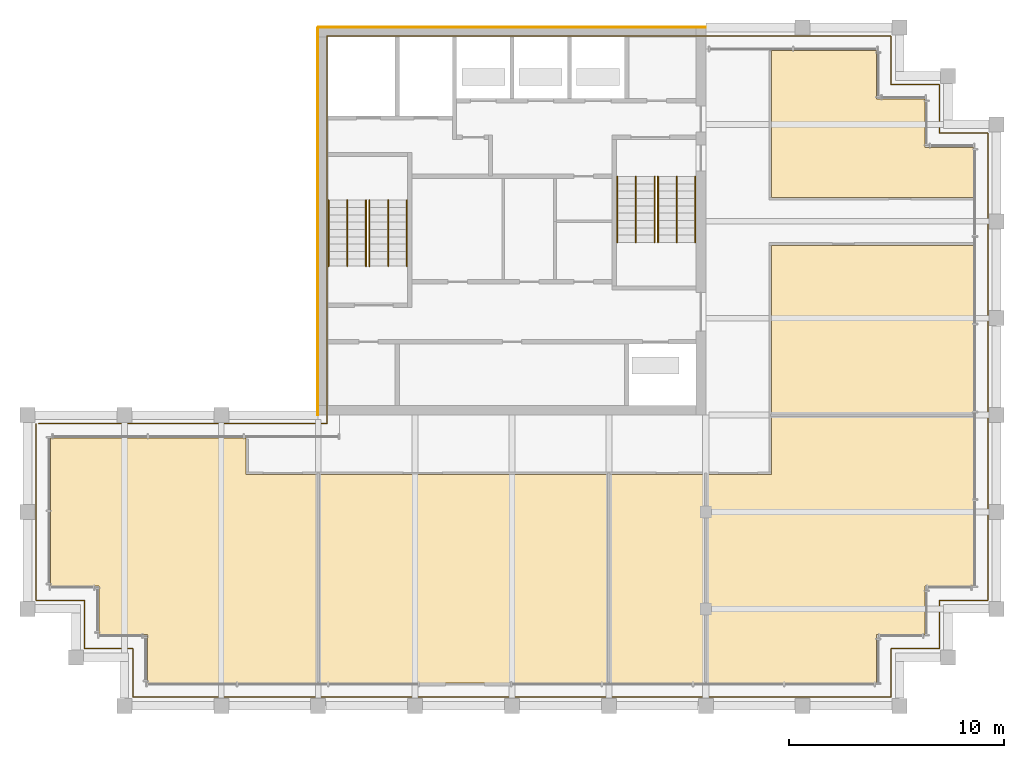
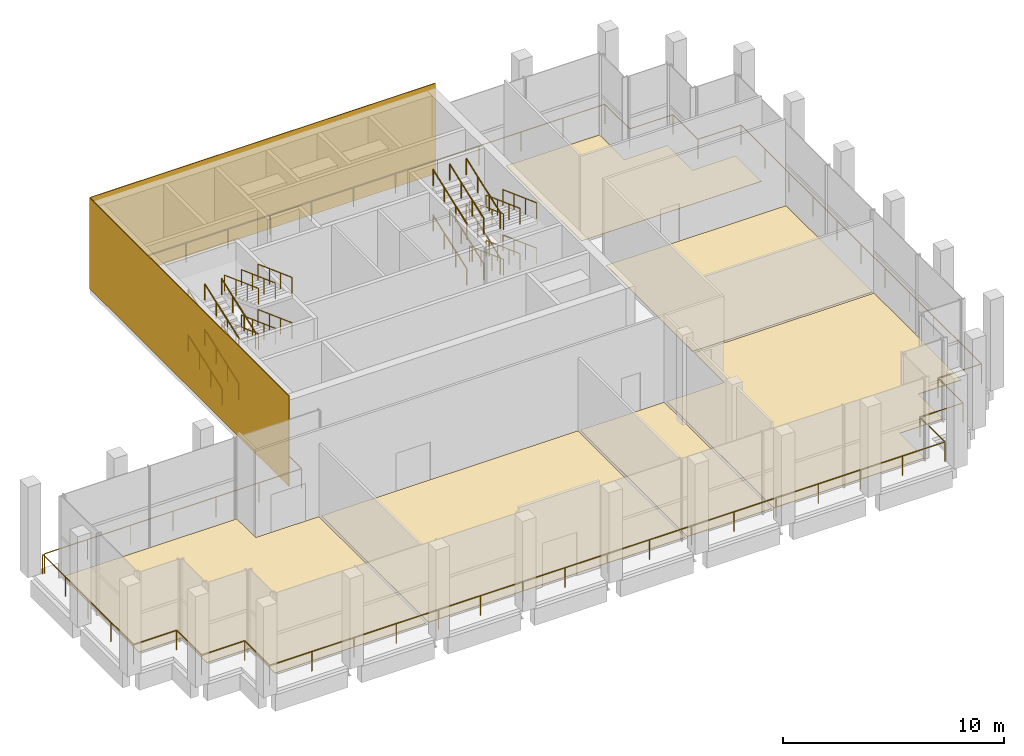
# One storey, part 14 of 14: 25 railings, 8 coverings.
"""IFC4 building model written with IfcOpenShell, lengths in metres."""

from ifc_helpers import new_model, si_unit, direction, frame, origin, origin_2d, place, context, subcontext, project, spatial, polyline, rectangle, circle, outline, extrude, source, transform, mapped, material, layer, layer_set, type_object, element, save


model = new_model("IFC4")

# Units and contexts
model_context = context("Model", 3, precision=1e-05, world=origin(), true_north=direction((0.0, 1.0)))
body_context = subcontext(model_context, "Body", "Model", "MODEL_VIEW")
ifc_project = project(units=[si_unit("LENGTHUNIT", "METRE"), si_unit("AREAUNIT", "SQUARE_METRE"), si_unit("VOLUMEUNIT", "CUBIC_METRE"), si_unit("PLANEANGLEUNIT", "RADIAN"), si_unit("MASSUNIT", "GRAM", prefix="KILO")], contexts=[model_context])

# Site, building, storey
site_placement = place(None, origin())
site = spatial("IfcSite", under=ifc_project, at=site_placement, CompositionType="ELEMENT")
building_placement = place(site_placement, origin())
building = spatial("IfcBuilding", under=site, at=building_placement, Name="Altepetl Exchange Towers", CompositionType="ELEMENT")
storey_placement = place(building_placement, frame((0.0, 0.0, 269.60009765625)))
storey = spatial("IfcBuildingStorey", under=building, at=storey_placement, Name="L68 Observation gallery", CompositionType="ELEMENT", Elevation=269.60009765625)

# Coverings
ifc_material_1 = material(Name="Carpet tile")
ifc_layer_1 = layer(ifc_material_1, 0.02001953125)
ifc_layer_set_1 = layer_set([ifc_layer_1], Name="Carpet tile")
covering_type_1 = type_object("IfcCoveringType", Name="Carpet tile floor", PredefinedType="FLOORING", material=ifc_layer_set_1)
covering_1_placement = place(storey_placement, origin())
element("IfcCovering", 1, at=covering_1_placement, inside=storey, type_object=covering_type_1, Name="Meeting room floor finish A68.06", PredefinedType="FLOORING", context=body_context, shape_type="SweptSolid", body=[
    extrude(outline(polyline([(66.4375, 55.1875), (66.4375, 57.4375), (61.5625, 57.4375), (61.5625, 50.612548828125), (70.9375, 50.612548828125), (70.9375, 52.9375), (68.6875, 52.9375), (68.6875, 55.1875), (66.4375, 55.1875)])), origin(), (0.0, 0.0, 1.0), 0.02001953125),
])
ifc_material_2 = material(Name="Cantera stone", Category="masonry")
ifc_layer_2 = layer(ifc_material_2, 0.030029296875)
ifc_layer_set_2 = layer_set([ifc_layer_2], Name="Cantera stone")
covering_type_2 = type_object("IfcCoveringType", Name="Polished stone floor", PredefinedType="FLOORING", material=ifc_layer_set_2)
covering_2_placement = place(storey_placement, origin())
element("IfcCovering", 2, at=covering_2_placement, inside=storey, type_object=covering_type_2, Name="Restaurant floor finish A68.01", PredefinedType="FLOORING", context=body_context, shape_type="SweptSolid", body=[
    extrude(outline(polyline([(32.5625, 28.0625), (40.4375, 28.0625), (40.4375, 37.737548828125), (37.137451171875, 37.737548828125), (37.137451171875, 39.4375), (28.0625, 39.4375), (28.0625, 32.5625), (30.3125, 32.5625), (30.3125, 30.3125), (32.5625, 30.3125), (32.5625, 28.0625)])), origin(), (0.0, 0.0, 1.0), 0.02978515625),
])
covering_3_placement = place(storey_placement, origin())
element("IfcCovering", 3, at=covering_3_placement, inside=storey, type_object=covering_type_2, Name="Exhibition room floor finish A68.02", PredefinedType="FLOORING", context=body_context, shape_type="SweptSolid", body=[
    extrude(outline(polyline([(53.9375, 28.0625), (53.9375, 37.737548828125), (40.5625, 37.737548828125), (40.5625, 28.0625), (53.9375, 28.0625)])), origin(), (0.0, 0.0, 1.0), 0.02978515625),
])
covering_4_placement = place(storey_placement, origin())
element("IfcCovering", 4, at=covering_4_placement, inside=storey, type_object=covering_type_2, Name="Reception floor finish A68.03", PredefinedType="FLOORING", context=body_context, shape_type="SweptSolid", body=[
    extrude(outline(polyline([(58.4375, 28.0625), (58.4375, 37.737548828125), (54.0625, 37.737548828125), (54.0625, 28.0625), (58.4375, 28.0625)])), origin(), (0.0, 0.0, 1.0), 0.02978515625),
])
covering_5_placement = place(storey_placement, origin())
element("IfcCovering", 5, at=covering_5_placement, inside=storey, type_object=covering_type_2, Name="Observation gallery floor finish A68.04", PredefinedType="FLOORING", context=body_context, shape_type="SweptSolid", body=[
    extrude(outline(polyline([(68.6875, 32.5625), (70.9375, 32.5625), (70.9375, 40.4375), (61.5625, 40.4375), (61.5625, 37.737548828125), (58.5625, 37.737548828125), (58.5625, 28.0625), (66.4375, 28.0625), (66.4375, 30.3125), (68.6875, 30.3125), (68.6875, 32.5625)])), origin(), (0.0, 0.0, 1.0), 0.02978515625),
])
covering_6_placement = place(storey_placement, origin())
element("IfcCovering", 6, at=covering_6_placement, inside=storey, type_object=covering_type_2, Name="Lookout cafe floor finish A68.05", PredefinedType="FLOORING", context=body_context, shape_type="SweptSolid", body=[
    extrude(outline(polyline([(61.5625, 40.5625), (70.9375, 40.5625), (70.9375, 48.387451171875), (61.5625, 48.387451171875), (61.5625, 40.5625)])), origin(), (0.0, 0.0, 1.0), 0.02978515625),
])
ifc_material_3 = material(Name="Cantera limestone cladding", Category="masonry")
ifc_layer_3 = layer(ifc_material_3, 0.0400390625)
ifc_layer_set_3 = layer_set([ifc_layer_3], Name="Cantera limestone cladding")
covering_type_3 = type_object("IfcCoveringType", Name="Stone panel 40 cantera", PredefinedType="CLADDING", material=ifc_layer_set_3)
for number, where, z_axis, x_axis, name in (
    (7, (49.5, 58.52001953125, 0.0), (0.0, 0.0, 1.0), (-1.0, 0.0, 0.0), "Stone cladding panel"),
    (8, (40.47998046875, 49.5, 0.0), (0.0, 0.0, 1.0), (0.0, -1.0, 0.0), "Stone cladding panel"),
):
    element("IfcCovering", number, at=place(storey_placement, frame(where, z_axis=z_axis, x_axis=x_axis)), inside=storey, type_object=covering_type_3, Name=name, PredefinedType="CLADDING", context=body_context, shape_type="SweptSolid", body=[
        extrude(rectangle(XDim=18.0, YDim=0.0400390625, at=origin_2d()), origin(), (0.0, 0.0, 1.0), 5.0),
    ])

# Railings
ifc_material_4 = material(Name="Steel S355", Category="steel")
railing_type_1 = type_object("IfcRailingType", Name="Guard 1100 steel posts and rail", PredefinedType="GUARDRAIL", material=ifc_material_4)
shared_shape_1 = source(origin(), body_context, "Body", "SweptSolid", [
    extrude(circle(Radius=0.02099609375, at=origin_2d()), origin(), (0.0, 0.0, 1.0), 1.052001953125),
])
railing_placement = place(storey_placement, frame((27.39990234375, 40.10009765625, 0.0)))
element("IfcRailing", 9, at=railing_placement, inside=storey, type_object=railing_type_1, Name="Loggia guard", PredefinedType="GUARDRAIL", context=body_context, shape_type="SweptSolid", body=[
    extrude(circle(Radius=0.02392578125, at=origin_2d()), frame((0.0, 0.0, 1.076171875), z_axis=(0.0, -1.0, 0.0), x_axis=(1.0, 0.0, 0.0)), (0.0, 0.0, 1.0), 8.2001953125),
    extrude(circle(Radius=0.02392578125, at=origin_2d()), frame((0.0, -8.2001953125, 1.076171875), z_axis=(1.0, 0.0, 0.0), x_axis=(0.0, 1.0, 0.0)), (0.0, 0.0, 1.0), 2.25),
    extrude(circle(Radius=0.02392578125, at=origin_2d()), frame((2.25, -8.2001953125, 1.076171875), z_axis=(0.0, -1.0, 0.0), x_axis=(1.0, 0.0, 0.0)), (0.0, 0.0, 1.0), 2.25),
    extrude(circle(Radius=0.02392578125, at=origin_2d()), frame((2.25, -10.4501953125, 1.076171875), z_axis=(1.0, 0.0, 0.0), x_axis=(0.0, 1.0, 0.0)), (0.0, 0.0, 1.0), 2.25),
    extrude(circle(Radius=0.02392578125, at=origin_2d()), frame((4.5, -10.4501953125, 1.076171875), z_axis=(0.0, -1.0, 0.0), x_axis=(1.0, 0.0, 0.0)), (0.0, 0.0, 1.0), 2.25),
    extrude(circle(Radius=0.02392578125, at=origin_2d()), frame((4.5, -12.7001953125, 1.076171875), z_axis=(1.0, 0.0, 0.0), x_axis=(0.0, 1.0, 0.0)), (0.0, 0.0, 1.0), 35.2001953125),
    extrude(circle(Radius=0.02392578125, at=origin_2d()), frame((39.7001953125, -12.7001953125, 1.076171875), z_axis=(0.0, 1.0, 0.0), x_axis=(-1.0, 0.0, 0.0)), (0.0, 0.0, 1.0), 2.25),
    extrude(circle(Radius=0.02392578125, at=origin_2d()), frame((39.7001953125, -10.4501953125, 1.076171875), z_axis=(1.0, 0.0, 0.0), x_axis=(0.0, 1.0, 0.0)), (0.0, 0.0, 1.0), 2.25),
    extrude(circle(Radius=0.02392578125, at=origin_2d()), frame((41.9501953125, -10.4501953125, 1.076171875), z_axis=(0.0, 1.0, 0.0), x_axis=(-1.0, 0.0, 0.0)), (0.0, 0.0, 1.0), 2.25),
    extrude(circle(Radius=0.02392578125, at=origin_2d()), frame((41.9501953125, -8.2001953125, 1.076171875), z_axis=(1.0, 0.0, 0.0), x_axis=(0.0, 1.0, 0.0)), (0.0, 0.0, 1.0), 2.25),
    extrude(circle(Radius=0.02392578125, at=origin_2d()), frame((44.2001953125, -8.2001953125, 1.076171875), z_axis=(0.0, 1.0, 0.0), x_axis=(-1.0, 0.0, 0.0)), (0.0, 0.0, 1.0), 21.7001953125),
    extrude(circle(Radius=0.02392578125, at=origin_2d()), frame((44.2001953125, 13.5, 1.076171875), z_axis=(-1.0, 0.0, 0.0), x_axis=(0.0, -1.0, 0.0)), (0.0, 0.0, 1.0), 2.25),
    extrude(circle(Radius=0.02392578125, at=origin_2d()), frame((41.9501953125, 13.5, 1.076171875), z_axis=(0.0, 1.0, 0.0), x_axis=(-1.0, 0.0, 0.0)), (0.0, 0.0, 1.0), 2.25),
    extrude(circle(Radius=0.02392578125, at=origin_2d()), frame((41.9501953125, 15.75, 1.076171875), z_axis=(-1.0, 0.0, 0.0), x_axis=(0.0, -1.0, 0.0)), (0.0, 0.0, 1.0), 2.25),
    extrude(circle(Radius=0.02392578125, at=origin_2d()), frame((39.7001953125, 15.75, 1.076171875), z_axis=(0.0, 1.0, 0.0), x_axis=(-1.0, 0.0, 0.0)), (0.0, 0.0, 1.0), 2.25),
    extrude(circle(Radius=0.02392578125, at=origin_2d()), frame((39.7001953125, 18.0, 1.076171875), z_axis=(-1.0, 0.0, 0.0), x_axis=(0.0, -1.0, 0.0)), (0.0, 0.0, 1.0), 26.2001953125),
    extrude(circle(Radius=0.02392578125, at=origin_2d()), frame((13.5, 18.0, 1.076171875), z_axis=(0.0, -1.0, 0.0), x_axis=(1.0, 0.0, 0.0)), (0.0, 0.0, 1.0), 18.0),
    extrude(circle(Radius=0.02392578125, at=origin_2d()), frame((13.5, 0.0, 1.076171875), z_axis=(-1.0, 0.0, 0.0), x_axis=(0.0, -1.0, 0.0)), (0.0, 0.0, 1.0), 13.39990234375),
    mapped(shared_shape_1, transform((0.0, 0.0, 0.0))),
    mapped(shared_shape_1, transform((0.0, -2.050048828125, 0.0))),
    mapped(shared_shape_1, transform((0.0, -4.10009765625, 0.0))),
    mapped(shared_shape_1, transform((0.0, -6.150146484375, 0.0))),
    mapped(shared_shape_1, transform((0.0, -8.2001953125, 0.0))),
    mapped(shared_shape_1, transform((2.25, -8.2001953125, 0.0))),
    mapped(shared_shape_1, transform((2.25, -10.4501953125, 0.0))),
    mapped(shared_shape_1, transform((4.5, -10.4501953125, 0.0))),
    mapped(shared_shape_1, transform((4.5, -12.7001953125, 0.0))),
    mapped(shared_shape_1, transform((6.699951171875, -12.7001953125, 0.0))),
    mapped(shared_shape_1, transform((8.89990234375, -12.7001953125, 0.0))),
    mapped(shared_shape_1, transform((11.10009765625, -12.7001953125, 0.0))),
    mapped(shared_shape_1, transform((13.300048828125, -12.7001953125, 0.0))),
    mapped(shared_shape_1, transform((15.5, -12.7001953125, 0.0))),
    mapped(shared_shape_1, transform((17.7001953125, -12.7001953125, 0.0))),
    mapped(shared_shape_1, transform((19.900146484375, -12.7001953125, 0.0))),
    mapped(shared_shape_1, transform((22.10009765625, -12.7001953125, 0.0))),
    mapped(shared_shape_1, transform((24.300048828125, -12.7001953125, 0.0))),
    mapped(shared_shape_1, transform((26.5, -12.7001953125, 0.0))),
    mapped(shared_shape_1, transform((28.7001953125, -12.7001953125, 0.0))),
    mapped(shared_shape_1, transform((30.900146484375, -12.7001953125, 0.0))),
    mapped(shared_shape_1, transform((33.10009765625, -12.7001953125, 0.0))),
    mapped(shared_shape_1, transform((35.30029296875, -12.7001953125, 0.0))),
    mapped(shared_shape_1, transform((37.500244140625, -12.7001953125, 0.0))),
    mapped(shared_shape_1, transform((39.7001953125, -12.7001953125, 0.0))),
    mapped(shared_shape_1, transform((39.7001953125, -10.4501953125, 0.0))),
    mapped(shared_shape_1, transform((41.9501953125, -10.4501953125, 0.0))),
    mapped(shared_shape_1, transform((41.9501953125, -8.2001953125, 0.0))),
    mapped(shared_shape_1, transform((44.2001953125, -8.2001953125, 0.0))),
    mapped(shared_shape_1, transform((44.2001953125, -6.0302734375, 0.0))),
    mapped(shared_shape_1, transform((44.2001953125, -3.860107421875, 0.0))),
    mapped(shared_shape_1, transform((44.2001953125, -1.690185546875, 0.0))),
    mapped(shared_shape_1, transform((44.2001953125, 0.47998046875, 0.0))),
    mapped(shared_shape_1, transform((44.2001953125, 2.64990234375, 0.0))),
    mapped(shared_shape_1, transform((44.2001953125, 4.81982421875, 0.0))),
    mapped(shared_shape_1, transform((44.2001953125, 6.989990234375, 0.0))),
    mapped(shared_shape_1, transform((44.2001953125, 9.159912109375, 0.0))),
    mapped(shared_shape_1, transform((44.2001953125, 11.330078125, 0.0))),
    mapped(shared_shape_1, transform((44.2001953125, 13.5, 0.0))),
    mapped(shared_shape_1, transform((41.9501953125, 13.5, 0.0))),
    mapped(shared_shape_1, transform((41.9501953125, 15.75, 0.0))),
    mapped(shared_shape_1, transform((39.7001953125, 15.75, 0.0))),
    mapped(shared_shape_1, transform((39.7001953125, 18.0, 0.0))),
    mapped(shared_shape_1, transform((37.516845703125, 18.0, 0.0))),
    mapped(shared_shape_1, transform((35.33349609375, 18.0, 0.0))),
    mapped(shared_shape_1, transform((33.150146484375, 18.0, 0.0))),
    mapped(shared_shape_1, transform((30.966796875, 18.0, 0.0))),
    mapped(shared_shape_1, transform((28.783447265625, 18.0, 0.0))),
    mapped(shared_shape_1, transform((26.60009765625, 18.0, 0.0))),
    mapped(shared_shape_1, transform((24.416748046875, 18.0, 0.0))),
    mapped(shared_shape_1, transform((22.2333984375, 18.0, 0.0))),
    mapped(shared_shape_1, transform((20.050048828125, 18.0, 0.0))),
    mapped(shared_shape_1, transform((17.86669921875, 18.0, 0.0))),
    mapped(shared_shape_1, transform((15.683349609375, 18.0, 0.0))),
    mapped(shared_shape_1, transform((13.5, 18.0, 0.0))),
    mapped(shared_shape_1, transform((13.5, 15.75, 0.0))),
    mapped(shared_shape_1, transform((13.5, 13.5, 0.0))),
    mapped(shared_shape_1, transform((13.5, 11.25, 0.0))),
    mapped(shared_shape_1, transform((13.5, 9.0, 0.0))),
    mapped(shared_shape_1, transform((13.5, 6.75, 0.0))),
    mapped(shared_shape_1, transform((13.5, 4.5, 0.0))),
    mapped(shared_shape_1, transform((13.5, 2.25, 0.0))),
    mapped(shared_shape_1, transform((13.5, 0.0, 0.0))),
    mapped(shared_shape_1, transform((11.2666015625, 0.0, 0.0))),
    mapped(shared_shape_1, transform((9.033447265625, 0.0, 0.0))),
    mapped(shared_shape_1, transform((6.800048828125, 0.0, 0.0))),
    mapped(shared_shape_1, transform((4.566650390625, 0.0, 0.0))),
    mapped(shared_shape_1, transform((2.33349609375, 0.0, 0.0))),
    mapped(shared_shape_1, transform((0.10009765625, 0.0, 0.0))),
])
ifc_material_5 = material(Name="Steel", Category="steel")
railing_type_2 = type_object("IfcRailingType", Name="Stair handrail 50 steel tube", PredefinedType="HANDRAIL", material=ifc_material_5)
shared_shape_2 = source(origin(), body_context, "Body", "SweptSolid", [
    extrude(circle(Radius=0.02099609375, at=origin_2d()), origin(), (0.0, 0.0, 1.0), 0.851806640625),
])
for number, where, name in (
    (10, (42.719970703125, 47.419921875, 0.125), "Stair handrail"),
    (11, (40.97998046875, 47.419921875, 0.125), "Stair handrail"),
    (12, (41.85009765625, 47.419921875, 0.125), "Stair handrail"),
):
    element("IfcRailing", number, at=place(storey_placement, frame(where)), inside=storey, type_object=railing_type_2, Name=name, PredefinedType="HANDRAIL", context=body_context, shape_type="SweptSolid", body=[
        extrude(circle(Radius=0.02392578125, at=origin_2d()), frame((0.0, 0.0, 0.8759765625), z_axis=(0.0, 0.938580693294, 0.345059824054), x_axis=(-1.0, 0.0, 0.0)), (0.0, 0.0, 1.0), 3.26025390625),
        mapped(shared_shape_2, transform((0.0, 0.0, 0.0))),
        mapped(shared_shape_2, transform((0.0, 1.02001953125, 0.375))),
        mapped(shared_shape_2, transform((0.0, 2.0400390625, 0.75))),
        mapped(shared_shape_2, transform((0.0, 3.06005859375, 1.125))),
    ])
for number, where, name in (
    (13, (42.8798828125, 50.47998046875, 1.375), "Stair handrail"),
    (14, (44.6201171875, 50.47998046875, 1.375), "Stair handrail"),
    (15, (43.75, 50.47998046875, 1.375), "Stair handrail"),
):
    element("IfcRailing", number, at=place(storey_placement, frame(where)), inside=storey, type_object=railing_type_2, Name=name, PredefinedType="HANDRAIL", context=body_context, shape_type="SweptSolid", body=[
        extrude(circle(Radius=0.02392578125, at=origin_2d()), frame((0.0, 0.0, 0.8759765625), z_axis=(0.0, -0.938580693294, 0.345059824054), x_axis=(1.0, 0.0, 0.0)), (0.0, 0.0, 1.0), 3.26025390625),
        mapped(shared_shape_2, transform((0.0, 0.0, 0.0))),
        mapped(shared_shape_2, transform((0.0, -1.02001953125, 0.375))),
        mapped(shared_shape_2, transform((0.0, -2.0400390625, 0.75))),
        mapped(shared_shape_2, transform((0.0, -3.06005859375, 1.125))),
    ])
for number, where, name in (
    (16, (42.719970703125, 47.419921875, 2.625), "Stair handrail"),
    (17, (40.97998046875, 47.419921875, 2.625), "Stair handrail"),
    (18, (41.85009765625, 47.419921875, 2.625), "Stair handrail"),
):
    element("IfcRailing", number, at=place(storey_placement, frame(where)), inside=storey, type_object=railing_type_2, Name=name, PredefinedType="HANDRAIL", context=body_context, shape_type="SweptSolid", body=[
        extrude(circle(Radius=0.02392578125, at=origin_2d()), frame((0.0, 0.0, 0.8759765625), z_axis=(0.0, 0.938580693294, 0.345059824054), x_axis=(-1.0, 0.0, 0.0)), (0.0, 0.0, 1.0), 3.26025390625),
        mapped(shared_shape_2, transform((0.0, 0.0, 0.0))),
        mapped(shared_shape_2, transform((0.0, 1.02001953125, 0.375))),
        mapped(shared_shape_2, transform((0.0, 2.0400390625, 0.75))),
        mapped(shared_shape_2, transform((0.0, 3.06005859375, 1.125))),
    ])
for number, where, name in (
    (19, (42.8798828125, 50.47998046875, 3.875), "Stair handrail"),
    (20, (44.6201171875, 50.47998046875, 3.875), "Stair handrail"),
    (21, (43.75, 50.47998046875, 3.875), "Stair handrail"),
    (22, (56.280029296875, 51.580078125, 0.125), "Stair handrail"),
    (23, (58.02001953125, 51.580078125, 0.125), "Stair handrail"),
    (24, (57.14990234375, 51.580078125, 0.125), "Stair handrail"),
):
    element("IfcRailing", number, at=place(storey_placement, frame(where)), inside=storey, type_object=railing_type_2, Name=name, PredefinedType="HANDRAIL", context=body_context, shape_type="SweptSolid", body=[
        extrude(circle(Radius=0.02392578125, at=origin_2d()), frame((0.0, 0.0, 0.8759765625), z_axis=(0.0, -0.938580693294, 0.345059824054), x_axis=(1.0, 0.0, 0.0)), (0.0, 0.0, 1.0), 3.26025390625),
        mapped(shared_shape_2, transform((0.0, 0.0, 0.0))),
        mapped(shared_shape_2, transform((0.0, -1.02001953125, 0.375))),
        mapped(shared_shape_2, transform((0.0, -2.0400390625, 0.75))),
        mapped(shared_shape_2, transform((0.0, -3.06005859375, 1.125))),
    ])
for number, where, name in (
    (25, (56.1201171875, 48.52001953125, 1.375), "Stair handrail"),
    (26, (54.3798828125, 48.52001953125, 1.375), "Stair handrail"),
    (27, (55.25, 48.52001953125, 1.375), "Stair handrail"),
):
    element("IfcRailing", number, at=place(storey_placement, frame(where)), inside=storey, type_object=railing_type_2, Name=name, PredefinedType="HANDRAIL", context=body_context, shape_type="SweptSolid", body=[
        extrude(circle(Radius=0.02392578125, at=origin_2d()), frame((0.0, 0.0, 0.8759765625), z_axis=(0.0, 0.938580693294, 0.345059824054), x_axis=(-1.0, 0.0, 0.0)), (0.0, 0.0, 1.0), 3.26025390625),
        mapped(shared_shape_2, transform((0.0, 0.0, 0.0))),
        mapped(shared_shape_2, transform((0.0, 1.02001953125, 0.375))),
        mapped(shared_shape_2, transform((0.0, 2.0400390625, 0.75))),
        mapped(shared_shape_2, transform((0.0, 3.06005859375, 1.125))),
    ])
for number, where, name in (
    (28, (56.280029296875, 51.580078125, 2.625), "Stair handrail"),
    (29, (58.02001953125, 51.580078125, 2.625), "Stair handrail"),
    (30, (57.14990234375, 51.580078125, 2.625), "Stair handrail"),
):
    element("IfcRailing", number, at=place(storey_placement, frame(where)), inside=storey, type_object=railing_type_2, Name=name, PredefinedType="HANDRAIL", context=body_context, shape_type="SweptSolid", body=[
        extrude(circle(Radius=0.02392578125, at=origin_2d()), frame((0.0, 0.0, 0.8759765625), z_axis=(0.0, -0.938580693294, 0.345059824054), x_axis=(1.0, 0.0, 0.0)), (0.0, 0.0, 1.0), 3.26025390625),
        mapped(shared_shape_2, transform((0.0, 0.0, 0.0))),
        mapped(shared_shape_2, transform((0.0, -1.02001953125, 0.375))),
        mapped(shared_shape_2, transform((0.0, -2.0400390625, 0.75))),
        mapped(shared_shape_2, transform((0.0, -3.06005859375, 1.125))),
    ])
for number, where, name in (
    (31, (56.1201171875, 48.52001953125, 3.875), "Stair handrail"),
    (32, (54.3798828125, 48.52001953125, 3.875), "Stair handrail"),
    (33, (55.25, 48.52001953125, 3.875), "Stair handrail"),
):
    element("IfcRailing", number, at=place(storey_placement, frame(where)), inside=storey, type_object=railing_type_2, Name=name, PredefinedType="HANDRAIL", context=body_context, shape_type="SweptSolid", body=[
        extrude(circle(Radius=0.02392578125, at=origin_2d()), frame((0.0, 0.0, 0.8759765625), z_axis=(0.0, 0.938580693294, 0.345059824054), x_axis=(-1.0, 0.0, 0.0)), (0.0, 0.0, 1.0), 3.26025390625),
        mapped(shared_shape_2, transform((0.0, 0.0, 0.0))),
        mapped(shared_shape_2, transform((0.0, 1.02001953125, 0.375))),
        mapped(shared_shape_2, transform((0.0, 2.0400390625, 0.75))),
        mapped(shared_shape_2, transform((0.0, 3.06005859375, 1.125))),
    ])

save(model, "model.ifc")
